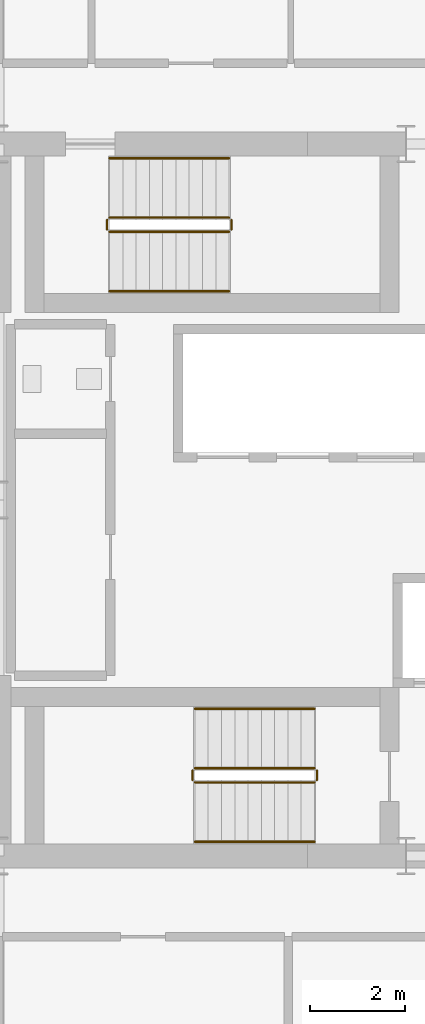
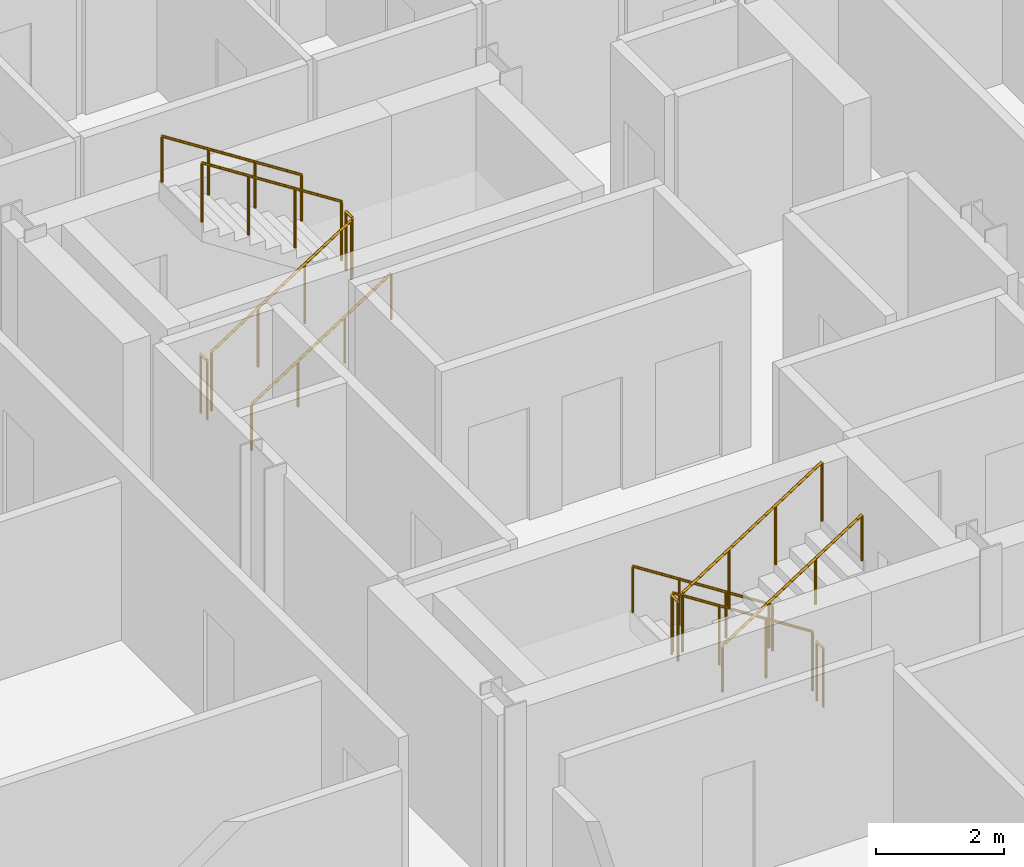
# One storey, part 22 of 23: 12 railings.
"""IFC4 building model written with IfcOpenShell, lengths in metres."""

import ifcopenshell
import ifcopenshell.guid

model = None  # the IFC model being written
_history = None  # IfcOwnerHistory: only IFC2X3 demands one
_inside = {}  # id of a spatial element -> (the spatial element, [elements in it])
_under = {}  # id of a project, library or spatial element -> (it, [spatial elements below it])
_declared = {}  # id of a project -> (the project, [libraries it declares])
_typed = {}  # id of a type object -> (the type object, [elements of that type])
_made_of = {}  # id of a material, layer set ... -> (it, [elements and type objects made of it])


def new_model(schema):
    """Start an empty IFC model of exactly this schema.

    Asked for "IFC4X3", IfcOpenShell would pick the latest addendum, in which some entities
    have other attributes; the version numbers below select the first issue.
    IFC2X3 requires an IfcOwnerHistory on every rooted entity: one is made here for all.
    """
    global model, _history
    if schema == "IFC4X3":
        model = ifcopenshell.file(schema_version=(4, 3, 0, 0))
    else:
        model = ifcopenshell.file(schema=schema)
    _inside.clear()
    _under.clear()
    _declared.clear()
    _typed.clear()
    _made_of.clear()
    _history = None
    if model.schema == "IFC2X3":
        org = make("IfcOrganization", Name="unknown")
        user = make(
            "IfcPersonAndOrganization",
            ThePerson=make("IfcPerson", FamilyName="unknown"),
            TheOrganization=org,
        )
        app = make(
            "IfcApplication",
            ApplicationDeveloper=org,
            Version="unknown",
            ApplicationFullName="unknown",
            ApplicationIdentifier="unknown",
        )
        _history = make(
            "IfcOwnerHistory",
            OwningUser=user,
            OwningApplication=app,
            ChangeAction="ADDED",
            CreationDate=0,
        )
    return model


def make(cls, **values):
    """One entity of the class cls with the attributes given. An attribute that is None is left unset."""
    return model.create_entity(
        cls, **{name: value for name, value in values.items() if value is not None}
    )


def rooted(cls, **values):
    """An entity with a GlobalId (a new one), such as an element, a storey or a relation."""
    return make(cls, GlobalId=ifcopenshell.guid.new(), OwnerHistory=_history, **values)


def si_unit(unit_type, name, prefix=None):
    """IfcSIUnit, for example si_unit("LENGTHUNIT", "METRE", prefix="MILLI")."""
    return make("IfcSIUnit", UnitType=unit_type, Prefix=prefix, Name=name)


def assignment(units):
    """IfcUnitAssignment: the units of a project."""
    return None if units is None else make("IfcUnitAssignment", Units=units)


def point(xyz):
    """IfcCartesianPoint."""
    return None if xyz is None else make("IfcCartesianPoint", Coordinates=xyz)


def direction(xyz):
    """IfcDirection."""
    return None if xyz is None else make("IfcDirection", DirectionRatios=xyz)


def frame(location, z_axis=None, x_axis=None):
    """IfcAxis2Placement3D, a coordinate frame: its origin and axes. An axis left out is left unset."""
    return make(
        "IfcAxis2Placement3D",
        Location=point(location),
        Axis=direction(z_axis),
        RefDirection=direction(x_axis),
    )


def frame_2d(location, x_axis=None):
    """IfcAxis2Placement2D, a coordinate frame in the plane: its origin and x axis."""
    return make(
        "IfcAxis2Placement2D", Location=point(location), RefDirection=direction(x_axis)
    )


def origin():
    """The frame at (0, 0, 0) with its axes left unset."""
    return frame((0.0, 0.0, 0.0))


def origin_2d():
    """The frame at (0, 0) in the plane with its x axis left unset."""
    return frame_2d((0.0, 0.0))


def place(relative_to, where):
    """IfcLocalPlacement: puts the frame where relative to a parent placement (None: the world)."""
    return make(
        "IfcLocalPlacement", PlacementRelTo=relative_to, RelativePlacement=where
    )


def context(
    kind, dimensions, precision=None, world=None, true_north=None, identifier=None
):
    """IfcGeometricRepresentationContext, for example the 3D "Model" context."""
    return make(
        "IfcGeometricRepresentationContext",
        ContextIdentifier=identifier,
        ContextType=kind,
        CoordinateSpaceDimension=dimensions,
        Precision=precision,
        WorldCoordinateSystem=world,
        TrueNorth=true_north,
    )


def subcontext(parent, identifier, kind, view, scale=None):
    """IfcGeometricRepresentationSubContext, for example "Body" below "Model"."""
    return make(
        "IfcGeometricRepresentationSubContext",
        ContextIdentifier=identifier,
        ContextType=kind,
        ParentContext=parent,
        TargetScale=scale,
        TargetView=view,
    )


def project(units=None, contexts=None):
    """IfcProject with its units and contexts."""
    return rooted(
        "IfcProject",
        Name="project",
        RepresentationContexts=contexts,
        UnitsInContext=assignment(units),
    )


def spatial(cls, under=None, at=None, **own):
    """A site, building, storey or space (cls), placed at a placement, below another one or the project."""
    s = rooted(cls, ObjectPlacement=at, **own)
    if under is not None:
        _under.setdefault(under.id(), (under, []))[1].append(s)
    return s


def profile(cls, at=None, kind="AREA", **sizes):
    """A parametric profile (cls). Its sizes go by their IFC names, for example OverallWidth=200.0."""
    return make(cls, ProfileType=kind, Position=at, **sizes)


def circle(**sizes):
    """IfcCircleProfileDef."""
    return profile("IfcCircleProfileDef", **sizes)


def extrude(swept, where, along, depth):
    """IfcExtrudedAreaSolid: the profile swept, set in the frame where, extruded along a direction by depth."""
    return make(
        "IfcExtrudedAreaSolid",
        SweptArea=swept,
        Position=where,
        ExtrudedDirection=direction(along),
        Depth=depth,
    )


def shape(context_of_items, identifier, shape_type, items):
    """IfcShapeRepresentation: the items that make up one representation, for example the "Body"."""
    return make(
        "IfcShapeRepresentation",
        ContextOfItems=context_of_items,
        RepresentationIdentifier=identifier,
        RepresentationType=shape_type,
        Items=items,
    )


def material(Name=None, Category=None):
    """IfcMaterial."""
    return make("IfcMaterial", Name=Name, Category=Category)


def made_of(thing, what):
    """Note that an element or type object is made of a material, layer set ...; save() writes the relation."""
    if what is not None:
        _made_of.setdefault(what.id(), (what, []))[1].append(thing)
    return thing


def type_object(cls, material=None, **own):
    """A type object (cls), such as IfcWallType, which elements share."""
    return made_of(rooted(cls, **own), material)


def element(
    cls,
    number,
    at=None,
    inside=None,
    cuts=None,
    type_object=None,
    material=None,
    context=None,
    identifier="Body",
    shape_type=None,
    held_by="IfcProductDefinitionShape",
    body=None,
    shapes=None,
    **own,
):
    """One element of the class cls, such as IfcWall. Its Tag is "e" and its number.

    at: its placement. inside: the storey or other place that contains it. cuts: it is an
    opening in that element (IfcRelVoidsElement). A single representation is given by context,
    identifier, shape_type and body (its items); several are given by shapes. held_by: the class
    of the entity that holds the representations. save() writes the other relations.
    """
    e = rooted(cls, Tag="e%d" % number, ObjectPlacement=at, **own)
    if body is not None:
        shapes = [shape(context, identifier, shape_type, body)]
    if shapes is not None:
        e.Representation = make(held_by, Representations=shapes)
    if inside is not None:
        _inside.setdefault(inside.id(), (inside, []))[1].append(e)
    if cuts is not None:
        rooted(
            "IfcRelVoidsElement", RelatingBuildingElement=cuts, RelatedOpeningElement=e
        )
    if type_object is not None:
        _typed.setdefault(type_object.id(), (type_object, []))[1].append(e)
    return made_of(e, material)


def aggregate(whole, parts):
    """IfcRelAggregates: a whole, such as a stair, and the parts it consists of."""
    return rooted("IfcRelAggregates", RelatingObject=whole, RelatedObjects=parts)


def save(model, path):
    """Write the relations noted so far, then the file.

    IfcRelAggregates (storeys below a building ...), IfcRelContainedInSpatialStructure (elements
    in a storey), IfcRelDefinesByType, IfcRelAssociatesMaterial and IfcRelDeclares: one each for
    every whole, place, type object, material and project.
    """
    for whole, parts in _under.values():
        aggregate(whole, parts)
    for where, things in _inside.values():
        rooted(
            "IfcRelContainedInSpatialStructure",
            RelatedElements=things,
            RelatingStructure=where,
        )
    for kind, things in _typed.values():
        rooted("IfcRelDefinesByType", RelatedObjects=things, RelatingType=kind)
    for what, things in _made_of.values():
        rooted("IfcRelAssociatesMaterial", RelatedObjects=things, RelatingMaterial=what)
    for by, libraries in _declared.values():
        rooted("IfcRelDeclares", RelatingContext=by, RelatedDefinitions=libraries)
    model.write(path)


model = new_model("IFC4")

# Units and contexts
model_context = context("Model", 3, precision=1e-05, world=origin(), true_north=direction((0.0, 1.0)))
body_context = subcontext(model_context, "Body", "Model", "MODEL_VIEW")
ifc_project = project(units=[si_unit("LENGTHUNIT", "METRE"), si_unit("AREAUNIT", "SQUARE_METRE"), si_unit("VOLUMEUNIT", "CUBIC_METRE"), si_unit("PLANEANGLEUNIT", "RADIAN"), si_unit("MASSUNIT", "GRAM", prefix="KILO")], contexts=[model_context])

# Site, building, storey
site_placement = place(None, origin())
site = spatial("IfcSite", under=ifc_project, at=site_placement, CompositionType="ELEMENT")
building_placement = place(site_placement, origin())
building = spatial("IfcBuilding", under=site, at=building_placement, Name="Barlavira Tower and Art Museum", CompositionType="ELEMENT")
storey_placement = place(building_placement, frame((0.0, 0.0, 279.89990234375)))
storey = spatial("IfcBuildingStorey", under=building, at=storey_placement, Name="L73", CompositionType="ELEMENT", Elevation=279.89990234375)

# Railings
ifc_material = material(Name="Brushed stainless steel", Category="steel")
railing_type_1 = type_object("IfcRailingType", Name="Interior Void and Landing Guard Railing 1150", PredefinedType="GUARDRAIL", material=ifc_material)
railing_1_placement = place(storey_placement, frame((0.14990234375, -5.64990234375, 0.18017578125)))
element("IfcRailing", 1, at=railing_1_placement, inside=storey, type_object=railing_type_1, Name="L73 ST-T1 stair guard 1", PredefinedType="GUARDRAIL", context=body_context, shape_type="SweptSolid", body=[
    extrude(circle(Radius=0.02392578125, at=origin_2d()), frame((0.0, 0.0, 1.1259765625), z_axis=(-0.841199657755, 0.0, 0.540724639528), x_axis=(0.0, -1.0, 0.0)), (0.0, 0.0, 1.0), 2.995849609375),
    extrude(circle(Radius=0.02099609375, at=origin_2d()), origin(), (0.0, 0.0, 1.0), 1.101806640625),
    extrude(circle(Radius=0.02099609375, at=origin_2d()), frame((-0.840087890625, 0.0, 0.5400390625)), (0.0, 0.0, 1.0), 1.101806640625),
    extrude(circle(Radius=0.02099609375, at=origin_2d()), frame((-1.679931640625, 0.0, 1.079833984375)), (0.0, 0.0, 1.0), 1.101806640625),
    extrude(circle(Radius=0.02099609375, at=origin_2d()), frame((-2.52001953125, 0.0, 1.619873046875)), (0.0, 0.0, 1.0), 1.101806640625),
])
railing_2_placement = place(storey_placement, frame((-2.419921875, -5.699951171875, 1.800048828125)))
element("IfcRailing", 2, at=railing_2_placement, inside=storey, type_object=railing_type_1, Name="L73 ST-T1 stair guard 2", PredefinedType="GUARDRAIL", context=body_context, shape_type="SweptSolid", body=[
    extrude(circle(Radius=0.02392578125, at=origin_2d()), frame((0.0, 0.0, 1.1259765625), z_axis=(0.0, -1.0, 0.0), x_axis=(1.0, 0.0, 0.0)), (0.0, 0.0, 1.0), 0.199951171875),
    extrude(circle(Radius=0.02099609375, at=origin_2d()), origin(), (0.0, 0.0, 1.0), 1.101806640625),
    extrude(circle(Radius=0.02099609375, at=origin_2d()), frame((0.0, -0.199951171875, 0.0)), (0.0, 0.0, 1.0), 1.101806640625),
])
railing_3_placement = place(storey_placement, frame((-2.3701171875, -5.949951171875, 1.97998046875)))
element("IfcRailing", 3, at=railing_3_placement, inside=storey, type_object=railing_type_1, Name="L73 ST-T1 stair guard 3", PredefinedType="GUARDRAIL", context=body_context, shape_type="SweptSolid", body=[
    extrude(circle(Radius=0.02392578125, at=origin_2d()), frame((0.0, 0.0, 1.1259765625), z_axis=(0.841162588446, 0.0, 0.540782303519), x_axis=(0.0, 1.0, 0.0)), (0.0, 0.0, 1.0), 2.995849609375),
    extrude(circle(Radius=0.02099609375, at=origin_2d()), origin(), (0.0, 0.0, 1.0), 1.101806640625),
    extrude(circle(Radius=0.02099609375, at=origin_2d()), frame((0.840087890625, 0.0, 0.5400390625)), (0.0, 0.0, 1.0), 1.101806640625),
    extrude(circle(Radius=0.02099609375, at=origin_2d()), frame((1.679931640625, 0.0, 1.080078125)), (0.0, 0.0, 1.0), 1.101806640625),
    extrude(circle(Radius=0.02099609375, at=origin_2d()), frame((2.52001953125, 0.0, 1.6201171875)), (0.0, 0.0, 1.0), 1.101806640625),
])
railing_4_placement = place(storey_placement, frame((0.199951171875, -5.699951171875, 0.0)))
element("IfcRailing", 4, at=railing_4_placement, inside=storey, type_object=railing_type_1, Name="L73 ST-T1 stair guard 4", PredefinedType="GUARDRAIL", context=body_context, shape_type="SweptSolid", body=[
    extrude(circle(Radius=0.02392578125, at=origin_2d()), frame((0.0, 0.0, 1.1259765625), z_axis=(0.0, -1.0, 0.0), x_axis=(1.0, 0.0, 0.0)), (0.0, 0.0, 1.0), 0.199951171875),
    extrude(circle(Radius=0.02099609375, at=origin_2d()), origin(), (0.0, 0.0, 1.0), 1.101806640625),
    extrude(circle(Radius=0.02099609375, at=origin_2d()), frame((0.0, -0.199951171875, 0.0)), (0.0, 0.0, 1.0), 1.101806640625),
])
railing_5_placement = place(storey_placement, frame((-4.169921875, 5.64990234375, 0.18017578125)))
element("IfcRailing", 5, at=railing_5_placement, inside=storey, type_object=railing_type_1, Name="L73 ST-T2 stair guard 1", PredefinedType="GUARDRAIL", context=body_context, shape_type="SweptSolid", body=[
    extrude(circle(Radius=0.02392578125, at=origin_2d()), frame((0.0, 0.0, 1.1259765625), z_axis=(0.841199657755, 0.0, 0.540724639528), x_axis=(0.0, 1.0, 0.0)), (0.0, 0.0, 1.0), 2.995849609375),
    extrude(circle(Radius=0.02099609375, at=origin_2d()), origin(), (0.0, 0.0, 1.0), 1.101806640625),
    extrude(circle(Radius=0.02099609375, at=origin_2d()), frame((0.840087890625, 0.0, 0.5400390625)), (0.0, 0.0, 1.0), 1.101806640625),
    extrude(circle(Radius=0.02099609375, at=origin_2d()), frame((1.679931640625, 0.0, 1.079833984375)), (0.0, 0.0, 1.0), 1.101806640625),
    extrude(circle(Radius=0.02099609375, at=origin_2d()), frame((2.52001953125, 0.0, 1.619873046875)), (0.0, 0.0, 1.0), 1.101806640625),
])
railing_6_placement = place(storey_placement, frame((-1.60009765625, 5.699951171875, 1.800048828125)))
element("IfcRailing", 6, at=railing_6_placement, inside=storey, type_object=railing_type_1, Name="L73 ST-T2 stair guard 2", PredefinedType="GUARDRAIL", context=body_context, shape_type="SweptSolid", body=[
    extrude(circle(Radius=0.02392578125, at=origin_2d()), frame((0.0, 0.0, 1.1259765625), z_axis=(0.0, 1.0, 0.0), x_axis=(-1.0, 0.0, 0.0)), (0.0, 0.0, 1.0), 0.199951171875),
    extrude(circle(Radius=0.02099609375, at=origin_2d()), origin(), (0.0, 0.0, 1.0), 1.101806640625),
    extrude(circle(Radius=0.02099609375, at=origin_2d()), frame((0.0, 0.199951171875, 0.0)), (0.0, 0.0, 1.0), 1.101806640625),
])
railing_7_placement = place(storey_placement, frame((-1.64990234375, 5.949951171875, 1.97998046875)))
element("IfcRailing", 7, at=railing_7_placement, inside=storey, type_object=railing_type_1, Name="L73 ST-T2 stair guard 3", PredefinedType="GUARDRAIL", context=body_context, shape_type="SweptSolid", body=[
    extrude(circle(Radius=0.02392578125, at=origin_2d()), frame((0.0, 0.0, 1.1259765625), z_axis=(-0.841162588446, 0.0, 0.540782303519), x_axis=(0.0, -1.0, 0.0)), (0.0, 0.0, 1.0), 2.995849609375),
    extrude(circle(Radius=0.02099609375, at=origin_2d()), origin(), (0.0, 0.0, 1.0), 1.101806640625),
    extrude(circle(Radius=0.02099609375, at=origin_2d()), frame((-0.840087890625, 0.0, 0.5400390625)), (0.0, 0.0, 1.0), 1.101806640625),
    extrude(circle(Radius=0.02099609375, at=origin_2d()), frame((-1.679931640625, 0.0, 1.080078125)), (0.0, 0.0, 1.0), 1.101806640625),
    extrude(circle(Radius=0.02099609375, at=origin_2d()), frame((-2.52001953125, 0.0, 1.6201171875)), (0.0, 0.0, 1.0), 1.101806640625),
])
railing_8_placement = place(storey_placement, frame((-4.219970703125, 5.699951171875, 0.0)))
element("IfcRailing", 8, at=railing_8_placement, inside=storey, type_object=railing_type_1, Name="L73 ST-T2 stair guard 4", PredefinedType="GUARDRAIL", context=body_context, shape_type="SweptSolid", body=[
    extrude(circle(Radius=0.02392578125, at=origin_2d()), frame((0.0, 0.0, 1.1259765625), z_axis=(0.0, 1.0, 0.0), x_axis=(-1.0, 0.0, 0.0)), (0.0, 0.0, 1.0), 0.199951171875),
    extrude(circle(Radius=0.02099609375, at=origin_2d()), origin(), (0.0, 0.0, 1.0), 1.101806640625),
    extrude(circle(Radius=0.02099609375, at=origin_2d()), frame((0.0, 0.199951171875, 0.0)), (0.0, 0.0, 1.0), 1.101806640625),
])
railing_type_2 = type_object("IfcRailingType", Name="Stair Pitch Tubular Steel Handrail 920", PredefinedType="HANDRAIL", material=ifc_material)
railing_9_placement = place(storey_placement, frame((0.14990234375, -4.39990234375, 0.18017578125)))
element("IfcRailing", 9, at=railing_9_placement, inside=storey, type_object=railing_type_2, Name="L73 ST-T1 stair handrail 1", PredefinedType="HANDRAIL", context=body_context, shape_type="SweptSolid", body=[
    extrude(circle(Radius=0.02392578125, at=origin_2d()), frame((0.0, 0.0, 0.8759765625), z_axis=(-0.841199657755, 0.0, 0.540724639528), x_axis=(0.0, -1.0, 0.0)), (0.0, 0.0, 1.0), 2.995849609375),
    extrude(circle(Radius=0.02099609375, at=origin_2d()), origin(), (0.0, 0.0, 1.0), 0.851806640625),
    extrude(circle(Radius=0.02099609375, at=origin_2d()), frame((-0.840087890625, 0.0, 0.5400390625)), (0.0, 0.0, 1.0), 0.851806640625),
    extrude(circle(Radius=0.02099609375, at=origin_2d()), frame((-1.679931640625, 0.0, 1.079833984375)), (0.0, 0.0, 1.0), 0.851806640625),
    extrude(circle(Radius=0.02099609375, at=origin_2d()), frame((-2.52001953125, 0.0, 1.619873046875)), (0.0, 0.0, 1.0), 0.851806640625),
])
railing_10_placement = place(storey_placement, frame((-2.3701171875, -7.199951171875, 1.97998046875)))
element("IfcRailing", 10, at=railing_10_placement, inside=storey, type_object=railing_type_2, Name="L73 ST-T1 stair handrail 2", PredefinedType="HANDRAIL", context=body_context, shape_type="SweptSolid", body=[
    extrude(circle(Radius=0.02392578125, at=origin_2d()), frame((0.0, 0.0, 0.8759765625), z_axis=(0.841162588446, 0.0, 0.540782303519), x_axis=(0.0, 1.0, 0.0)), (0.0, 0.0, 1.0), 2.995849609375),
    extrude(circle(Radius=0.02099609375, at=origin_2d()), origin(), (0.0, 0.0, 1.0), 0.851806640625),
    extrude(circle(Radius=0.02099609375, at=origin_2d()), frame((0.840087890625, 0.0, 0.5400390625)), (0.0, 0.0, 1.0), 0.851806640625),
    extrude(circle(Radius=0.02099609375, at=origin_2d()), frame((1.679931640625, 0.0, 1.080078125)), (0.0, 0.0, 1.0), 0.851806640625),
    extrude(circle(Radius=0.02099609375, at=origin_2d()), frame((2.52001953125, 0.0, 1.6201171875)), (0.0, 0.0, 1.0), 0.851806640625),
])
railing_11_placement = place(storey_placement, frame((-4.169921875, 4.39990234375, 0.18017578125)))
element("IfcRailing", 11, at=railing_11_placement, inside=storey, type_object=railing_type_2, Name="L73 ST-T2 stair handrail 1", PredefinedType="HANDRAIL", context=body_context, shape_type="SweptSolid", body=[
    extrude(circle(Radius=0.02392578125, at=origin_2d()), frame((0.0, 0.0, 0.8759765625), z_axis=(0.841199657755, 0.0, 0.540724639528), x_axis=(0.0, 1.0, 0.0)), (0.0, 0.0, 1.0), 2.995849609375),
    extrude(circle(Radius=0.02099609375, at=origin_2d()), origin(), (0.0, 0.0, 1.0), 0.851806640625),
    extrude(circle(Radius=0.02099609375, at=origin_2d()), frame((0.840087890625, 0.0, 0.5400390625)), (0.0, 0.0, 1.0), 0.851806640625),
    extrude(circle(Radius=0.02099609375, at=origin_2d()), frame((1.679931640625, 0.0, 1.079833984375)), (0.0, 0.0, 1.0), 0.851806640625),
    extrude(circle(Radius=0.02099609375, at=origin_2d()), frame((2.52001953125, 0.0, 1.619873046875)), (0.0, 0.0, 1.0), 0.851806640625),
])
railing_12_placement = place(storey_placement, frame((-1.64990234375, 7.199951171875, 1.97998046875)))
element("IfcRailing", 12, at=railing_12_placement, inside=storey, type_object=railing_type_2, Name="L73 ST-T2 stair handrail 2", PredefinedType="HANDRAIL", context=body_context, shape_type="SweptSolid", body=[
    extrude(circle(Radius=0.02392578125, at=origin_2d()), frame((0.0, 0.0, 0.8759765625), z_axis=(-0.841162588446, 0.0, 0.540782303519), x_axis=(0.0, -1.0, 0.0)), (0.0, 0.0, 1.0), 2.995849609375),
    extrude(circle(Radius=0.02099609375, at=origin_2d()), origin(), (0.0, 0.0, 1.0), 0.851806640625),
    extrude(circle(Radius=0.02099609375, at=origin_2d()), frame((-0.840087890625, 0.0, 0.5400390625)), (0.0, 0.0, 1.0), 0.851806640625),
    extrude(circle(Radius=0.02099609375, at=origin_2d()), frame((-1.679931640625, 0.0, 1.080078125)), (0.0, 0.0, 1.0), 0.851806640625),
    extrude(circle(Radius=0.02099609375, at=origin_2d()), frame((-2.52001953125, 0.0, 1.6201171875)), (0.0, 0.0, 1.0), 0.851806640625),
])

save(model, "model.ifc")
